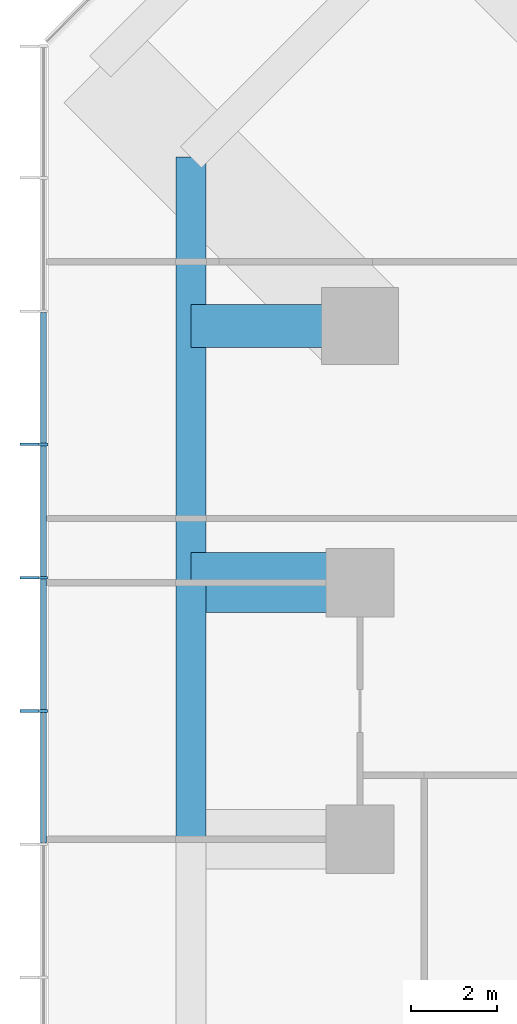
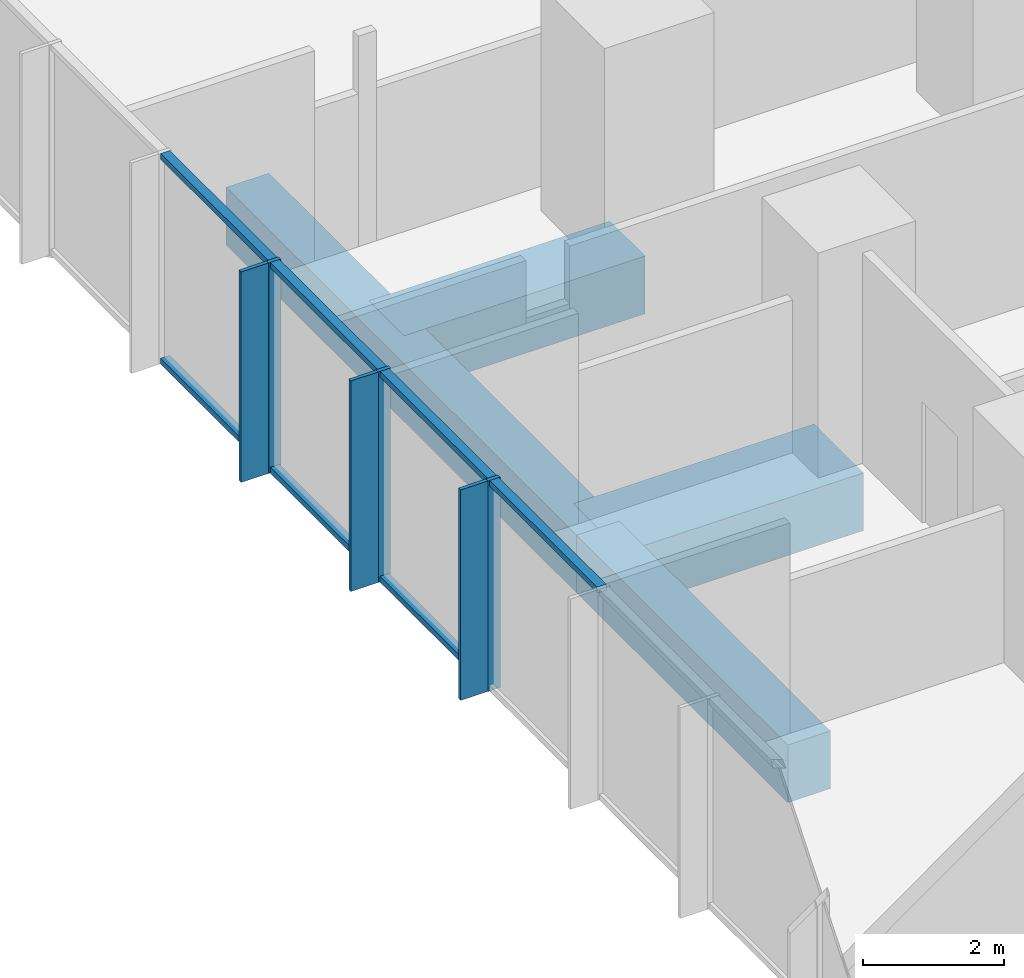
# One storey, part 3 of 11: 13 members, 4 beams, 1 element without a shape of its own.
"""IFC4 building model written with IfcOpenShell, lengths in metres."""

from ifc_helpers import new_model, si_unit, direction, frame, origin, origin_2d, place, context, subcontext, project, spatial, rectangle, extrude, material, layer, layer_set, material_profile, profile_set, type_object, element, aggregate, save


model = new_model("IFC4")

# Units and contexts
model_context = context("Model", 3, precision=1e-05, world=origin(), true_north=direction((0.0, 1.0)))
body_context = subcontext(model_context, "Body", "Model", "MODEL_VIEW")
ifc_project = project(units=[si_unit("LENGTHUNIT", "METRE"), si_unit("AREAUNIT", "SQUARE_METRE"), si_unit("VOLUMEUNIT", "CUBIC_METRE"), si_unit("PLANEANGLEUNIT", "RADIAN"), si_unit("MASSUNIT", "GRAM", prefix="KILO")], contexts=[model_context])

# Site, building, storey
site_placement = place(None, origin())
site = spatial("IfcSite", under=ifc_project, at=site_placement, CompositionType="ELEMENT")
building_placement = place(site_placement, origin())
building = spatial("IfcBuilding", under=site, at=building_placement, Name="Highveld Stack Headquarters", CompositionType="ELEMENT")
storey_placement = place(building_placement, frame((0.0, 0.0, 113.300048828125)))
storey = spatial("IfcBuildingStorey", under=building, at=storey_placement, Name="L27", CompositionType="ELEMENT", Elevation=113.300048828125)

# Beams
ifc_material_1 = material(Name="Concrete C60/75", Category="concrete")
ifc_material_profile_1 = material_profile(ifc_material_1, rectangle(XDim=1.0, YDim=1.0, at=origin_2d()), Name="RC 1000x1000")
ifc_profile_set_1 = profile_set([ifc_material_profile_1], Name="Concrete C60/75")
beam_type_1 = type_object("IfcBeamType", Name="CANTILEVER RIB RC 1000x1000", PredefinedType="USERDEFINED", material=ifc_profile_set_1)
beam_1_placement = place(storey_placement, frame((-18.0, 18.0, -0.75), z_axis=(-1.0, 0.0, 0.0), x_axis=(0.0, -1.0, 0.0)))
element("IfcBeam", 1, at=beam_1_placement, inside=storey, type_object=beam_type_1, Name="Cantilever rib 3/H L27", ObjectType="CANTILEVER RIB", PredefinedType="USERDEFINED", context=body_context, shape_type="SweptSolid", body=[
    extrude(rectangle(XDim=1.0, YDim=1.0, at=origin_2d()), origin(), (0.0, 0.0, 1.0), 3.949951171875),
])
ifc_material_2 = material(Name="Concrete C60/75", Category="concrete")
ifc_material_profile_2 = material_profile(ifc_material_2, rectangle(XDim=1.39990234375, YDim=1.0, at=origin_2d()), Name="RC 1400x1000")
ifc_profile_set_2 = profile_set([ifc_material_profile_2], Name="Concrete C60/75")
beam_type_2 = type_object("IfcBeamType", Name="CANTILEVER RIB RC 1400x1000", PredefinedType="USERDEFINED", material=ifc_profile_set_2)
beam_2_placement = place(storey_placement, frame((-18.0, 12.0, -0.75), z_axis=(-1.0, 0.0, 0.0), x_axis=(0.0, -1.0, 0.0)))
element("IfcBeam", 2, at=beam_2_placement, inside=storey, type_object=beam_type_2, Name="Cantilever rib 3/G L27", ObjectType="CANTILEVER RIB", PredefinedType="USERDEFINED", context=body_context, shape_type="SweptSolid", body=[
    extrude(rectangle(XDim=1.39990234375, YDim=1.0, at=origin_2d()), origin(), (0.0, 0.0, 1.0), 3.949951171875),
])

# Curtain wall, members
ifc_material_3 = material(Name="Aluminium bronze anodised", Category="aluminium")
ifc_layer = layer(ifc_material_3, 0.199951171875)
ifc_layer_set = layer_set([ifc_layer], Name="Aluminium bronze anodised")
curtain_wall_type = type_object("IfcCurtainWallType", Name="CW1 TOWER UNITISED CURTAIN WALL", PredefinedType="NOTDEFINED", material=ifc_layer_set)
curtain_wall_placement = place(storey_placement, origin())
curtain_wall = element("IfcCurtainWall", 3, at=curtain_wall_placement, inside=storey, type_object=curtain_wall_type, Name="Curtain wall CW1 L27 W", PredefinedType="NOTDEFINED")
ifc_material_4 = material(Name="Aluminium bronze anodised", Category="aluminium")
ifc_material_profile_3 = material_profile(ifc_material_4, rectangle(XDim=0.449951171875, YDim=0.06005859375, at=origin_2d()), Name="FIN 450x60")
ifc_profile_set_3 = profile_set([ifc_material_profile_3], Name="Aluminium bronze anodised")
member_type_1 = type_object("IfcMemberType", Name="CW1 BRONZE FIN 450x60", PredefinedType="USERDEFINED", material=ifc_profile_set_3)
member_1_placement = place(storey_placement, frame((-25.72509765625, 15.23193359375, 0.0), z_axis=(0.0, 0.0, 1.0), x_axis=(1.0, 0.0, 0.0)))
member_1 = element("IfcMember", 4, at=member_1_placement, type_object=member_type_1, Name="CW1 fin L27 4", ObjectType="FIN", PredefinedType="USERDEFINED", context=body_context, shape_type="SweptSolid", body=[
    extrude(rectangle(XDim=0.449951171875, YDim=0.06005859375, at=origin_2d()), origin(), (0.0, 0.0, 1.0), 3.64990234375),
])
member_2_placement = place(storey_placement, frame((-25.72509765625, 12.115966796875, 0.0), z_axis=(0.0, 0.0, 1.0), x_axis=(1.0, 0.0, 0.0)))
member_2 = element("IfcMember", 5, at=member_2_placement, type_object=member_type_1, Name="CW1 fin L27 5", ObjectType="FIN", PredefinedType="USERDEFINED", context=body_context, shape_type="SweptSolid", body=[
    extrude(rectangle(XDim=0.449951171875, YDim=0.06005859375, at=origin_2d()), origin(), (0.0, 0.0, 1.0), 3.64990234375),
])
member_3_placement = place(storey_placement, frame((-25.72509765625, 9.0, 0.0), z_axis=(0.0, 0.0, 1.0), x_axis=(1.0, 0.0, 0.0)))
member_3 = element("IfcMember", 6, at=member_3_placement, type_object=member_type_1, Name="CW1 fin L27 6", ObjectType="FIN", PredefinedType="USERDEFINED", context=body_context, shape_type="SweptSolid", body=[
    extrude(rectangle(XDim=0.449951171875, YDim=0.06005859375, at=origin_2d()), origin(), (0.0, 0.0, 1.0), 3.64990234375),
])
ifc_material_5 = material(Name="Aluminium bronze anodised", Category="aluminium")
ifc_material_profile_4 = material_profile(ifc_material_5, rectangle(XDim=0.199951171875, YDim=0.06494140625, at=origin_2d()), Name="CW1 MULLION 65x200")
ifc_profile_set_4 = profile_set([ifc_material_profile_4], Name="Aluminium bronze anodised")
member_type_2 = type_object("IfcMemberType", Name="CW1 MULLION 65x200", PredefinedType="MULLION", material=ifc_profile_set_4)
member_4_placement = place(storey_placement, frame((-25.39990234375, 15.23193359375, 0.0), z_axis=(0.0, 0.0, 1.0), x_axis=(1.0, 0.0, 0.0)))
member_4 = element("IfcMember", 7, at=member_4_placement, type_object=member_type_2, Name="CW1 mullion L27 4", PredefinedType="MULLION", context=body_context, shape_type="SweptSolid", body=[
    extrude(rectangle(XDim=0.199951171875, YDim=0.06494140625, at=origin_2d()), origin(), (0.0, 0.0, 1.0), 3.64990234375),
])
member_5_placement = place(storey_placement, frame((-25.39990234375, 12.115966796875, 0.0), z_axis=(0.0, 0.0, 1.0), x_axis=(1.0, 0.0, 0.0)))
member_5 = element("IfcMember", 8, at=member_5_placement, type_object=member_type_2, Name="CW1 mullion L27 5", PredefinedType="MULLION", context=body_context, shape_type="SweptSolid", body=[
    extrude(rectangle(XDim=0.199951171875, YDim=0.06494140625, at=origin_2d()), origin(), (0.0, 0.0, 1.0), 3.64990234375),
])
member_6_placement = place(storey_placement, frame((-25.39990234375, 9.0, 0.0), z_axis=(0.0, 0.0, 1.0), x_axis=(1.0, 0.0, 0.0)))
member_6 = element("IfcMember", 9, at=member_6_placement, type_object=member_type_2, Name="CW1 mullion L27 6", PredefinedType="MULLION", context=body_context, shape_type="SweptSolid", body=[
    extrude(rectangle(XDim=0.199951171875, YDim=0.06494140625, at=origin_2d()), origin(), (0.0, 0.0, 1.0), 3.64990234375),
])
ifc_material_6 = material(Name="Aluminium bronze anodised", Category="aluminium")
ifc_material_profile_5 = material_profile(ifc_material_6, rectangle(XDim=0.14990234375, YDim=0.10009765625, at=origin_2d()), Name="CW1 TRANSOM 150x100")
ifc_profile_set_5 = profile_set([ifc_material_profile_5], Name="Aluminium bronze anodised")
member_type_3 = type_object("IfcMemberType", Name="CW1 STACK TRANSOM 150x100", PredefinedType="USERDEFINED", material=ifc_profile_set_5)
member_7_placement = place(storey_placement, frame((-25.39990234375, 18.3154296875, 0.050048828125), z_axis=(0.0, -1.0, 0.0), x_axis=(1.0, 0.0, 0.0)))
member_7 = element("IfcMember", 10, at=member_7_placement, type_object=member_type_3, Name="CW1 transom L27 3.1", ObjectType="TRANSOM", PredefinedType="USERDEFINED", context=body_context, shape_type="SweptSolid", body=[
    extrude(rectangle(XDim=0.14990234375, YDim=0.10009765625, at=origin_2d()), origin(), (0.0, 0.0, 1.0), 3.051025390625),
])
member_8_placement = place(storey_placement, frame((-25.39990234375, 18.3154296875, 3.599853515625), z_axis=(0.0, -1.0, 0.0), x_axis=(1.0, 0.0, 0.0)))
member_8 = element("IfcMember", 11, at=member_8_placement, type_object=member_type_3, Name="CW1 transom L27 3.2", ObjectType="TRANSOM", PredefinedType="USERDEFINED", context=body_context, shape_type="SweptSolid", body=[
    extrude(rectangle(XDim=0.14990234375, YDim=0.10009765625, at=origin_2d()), origin(), (0.0, 0.0, 1.0), 3.051025390625),
])
member_9_placement = place(storey_placement, frame((-25.39990234375, 15.199462890625, 0.050048828125), z_axis=(0.0, -1.0, 0.0), x_axis=(1.0, 0.0, 0.0)))
member_9 = element("IfcMember", 12, at=member_9_placement, type_object=member_type_3, Name="CW1 transom L27 4.1", ObjectType="TRANSOM", PredefinedType="USERDEFINED", context=body_context, shape_type="SweptSolid", body=[
    extrude(rectangle(XDim=0.14990234375, YDim=0.10009765625, at=origin_2d()), origin(), (0.0, 0.0, 1.0), 3.051025390625),
])
member_10_placement = place(storey_placement, frame((-25.39990234375, 15.199462890625, 3.599853515625), z_axis=(0.0, -1.0, 0.0), x_axis=(1.0, 0.0, 0.0)))
member_10 = element("IfcMember", 13, at=member_10_placement, type_object=member_type_3, Name="CW1 transom L27 4.2", ObjectType="TRANSOM", PredefinedType="USERDEFINED", context=body_context, shape_type="SweptSolid", body=[
    extrude(rectangle(XDim=0.14990234375, YDim=0.10009765625, at=origin_2d()), origin(), (0.0, 0.0, 1.0), 3.051025390625),
])
member_11_placement = place(storey_placement, frame((-25.39990234375, 12.08349609375, 0.050048828125), z_axis=(0.0, -1.0, 0.0), x_axis=(1.0, 0.0, 0.0)))
member_11 = element("IfcMember", 14, at=member_11_placement, type_object=member_type_3, Name="CW1 transom L27 5.1", ObjectType="TRANSOM", PredefinedType="USERDEFINED", context=body_context, shape_type="SweptSolid", body=[
    extrude(rectangle(XDim=0.14990234375, YDim=0.10009765625, at=origin_2d()), origin(), (0.0, 0.0, 1.0), 3.051025390625),
])
member_12_placement = place(storey_placement, frame((-25.39990234375, 12.08349609375, 3.599853515625), z_axis=(0.0, -1.0, 0.0), x_axis=(1.0, 0.0, 0.0)))
member_12 = element("IfcMember", 15, at=member_12_placement, type_object=member_type_3, Name="CW1 transom L27 5.2", ObjectType="TRANSOM", PredefinedType="USERDEFINED", context=body_context, shape_type="SweptSolid", body=[
    extrude(rectangle(XDim=0.14990234375, YDim=0.10009765625, at=origin_2d()), origin(), (0.0, 0.0, 1.0), 3.051025390625),
])
member_13_placement = place(storey_placement, frame((-25.39990234375, 8.967529296875, 3.599853515625), z_axis=(0.0, -1.0, 0.0), x_axis=(1.0, 0.0, 0.0)))
member_13 = element("IfcMember", 16, at=member_13_placement, type_object=member_type_3, Name="CW1 transom L27 6.2", ObjectType="TRANSOM", PredefinedType="USERDEFINED", context=body_context, shape_type="SweptSolid", body=[
    extrude(rectangle(XDim=0.14990234375, YDim=0.10009765625, at=origin_2d()), origin(), (0.0, 0.0, 1.0), 3.051025390625),
])
aggregate(curtain_wall, [member_4, member_1, member_5, member_2, member_6, member_3, member_7, member_8, member_9, member_10, member_11, member_12, member_13])

# Beams
ifc_material_7 = material(Name="Concrete C60/75", Category="concrete")
ifc_material_profile_6 = material_profile(ifc_material_7, rectangle(XDim=0.699951171875, YDim=1.0, at=origin_2d()), Name="RC 700x1000")
ifc_profile_set_6 = profile_set([ifc_material_profile_6], Name="Concrete C60/75")
beam_type_3 = type_object("IfcBeamType", Name="RIB TIP BEAM RC 700x1000", PredefinedType="SPANDREL", material=ifc_profile_set_6)
beam_3_placement = place(storey_placement, frame((-21.949951171875, 6.0, -0.75), z_axis=(0.0, 1.0, 0.0), x_axis=(-1.0, 0.0, 0.0)))
element("IfcBeam", 17, at=beam_3_placement, inside=storey, type_object=beam_type_3, Name="Rib tip beam 3/F to 3/G L27", PredefinedType="SPANDREL", context=body_context, shape_type="SweptSolid", body=[
    extrude(rectangle(XDim=0.699951171875, YDim=1.0, at=origin_2d()), origin(), (0.0, 0.0, 1.0), 6.0),
])
beam_4_placement = place(storey_placement, frame((-21.949951171875, 12.0, -0.75), z_axis=(0.0, 1.0, 0.0), x_axis=(-1.0, 0.0, 0.0)))
element("IfcBeam", 18, at=beam_4_placement, inside=storey, type_object=beam_type_3, Name="Rib tip beam 3/G to 3/H L27", PredefinedType="SPANDREL", context=body_context, shape_type="SweptSolid", body=[
    extrude(rectangle(XDim=0.699951171875, YDim=1.0, at=origin_2d()), origin(), (0.0, 0.0, 1.0), 9.949951171875),
])

save(model, "model.ifc")
